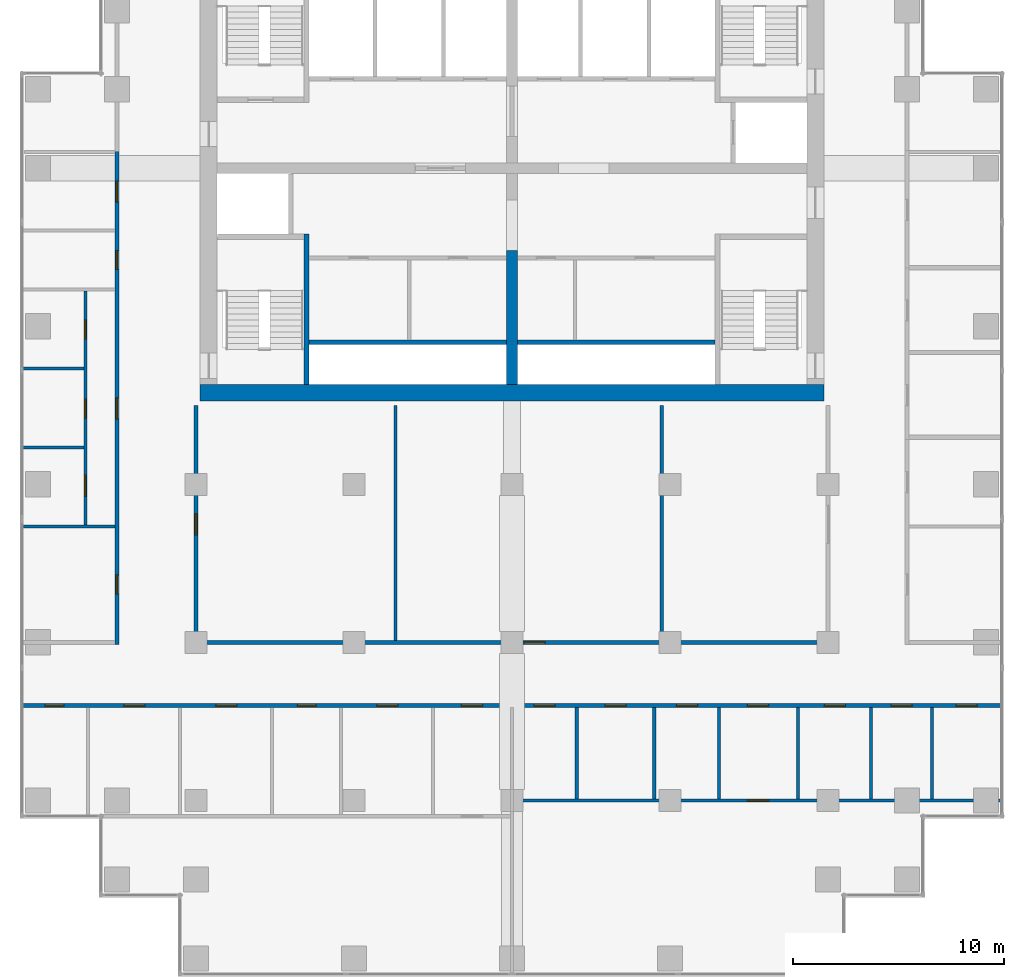
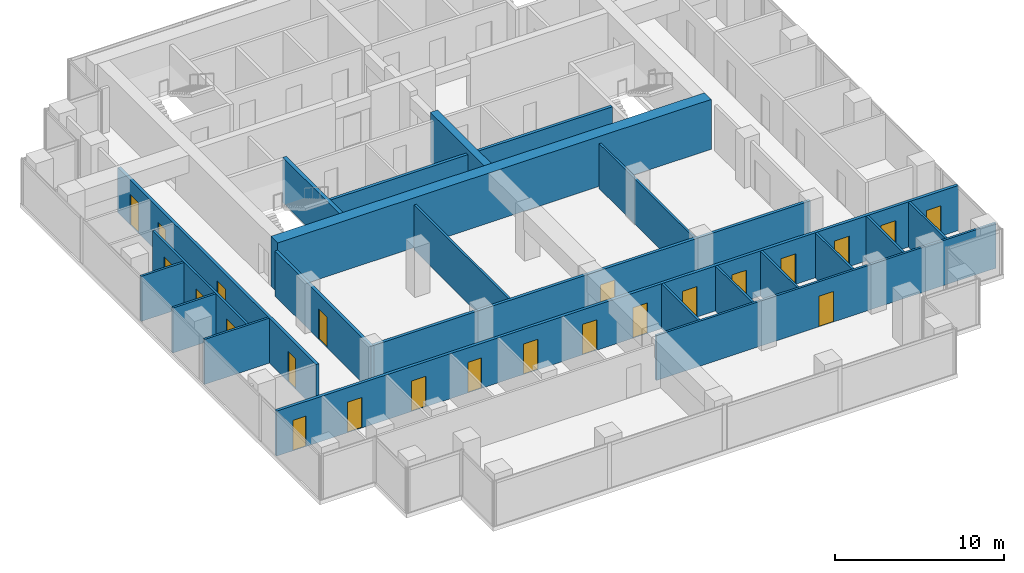
# One storey, part 7 of 10: 23 doors, 22 walls, 23 openings.
"""IFC4 building model written with IfcOpenShell, lengths in metres."""

from ifc_helpers import new_model, si_unit, direction, frame, frame_2d, origin, place, context, subcontext, project, spatial, rectangle, extrude, material, layer, layer_set, type_object, element, fill, save


model = new_model("IFC4")

# Units and contexts
model_context = context("Model", 3, precision=1e-05, world=origin(), true_north=direction((0.0, 1.0)))
body_context = subcontext(model_context, "Body", "Model", "MODEL_VIEW")
ifc_project = project(units=[si_unit("LENGTHUNIT", "METRE"), si_unit("AREAUNIT", "SQUARE_METRE"), si_unit("VOLUMEUNIT", "CUBIC_METRE"), si_unit("PLANEANGLEUNIT", "RADIAN"), si_unit("MASSUNIT", "GRAM", prefix="KILO")], contexts=[model_context])

# Site, building, storey
site_placement = place(None, origin())
site = spatial("IfcSite", under=ifc_project, at=site_placement, CompositionType="ELEMENT")
building_placement = place(site_placement, origin())
building = spatial("IfcBuilding", under=site, at=building_placement, Name="Pilkhan Gate Tower", CompositionType="ELEMENT")
storey_placement = place(building_placement, frame((0.0, 0.0, 180.10009765625)))
storey = spatial("IfcBuildingStorey", under=building, at=storey_placement, Name="L46", CompositionType="ELEMENT", Elevation=180.10009765625)

# Wall
ifc_material_1 = material(Name="Concrete C60/75", Category="concrete")
ifc_layer_1 = layer(ifc_material_1, 0.800048828125)
ifc_layer_set_1 = layer_set([ifc_layer_1], Name="Core wall CW800 C60/75")
wall_type_1 = type_object("IfcWallType", Name="Core wall CW800 C60/75", PredefinedType="SHEAR", material=ifc_layer_set_1)
wall_1_placement = place(storey_placement, frame((60.199951171875, 71.85009765625, 0.0), z_axis=(0.0, 0.0, 1.0), x_axis=(1.0, 0.0, 0.0)))
element("IfcWall", 1, at=wall_1_placement, inside=storey, type_object=wall_type_1, Name="Core wall S L46", PredefinedType="SHEAR", context=body_context, shape_type="SweptSolid", body=[
    extrude(rectangle(XDim=29.60009765625, YDim=0.800048828125, at=frame_2d((14.800048828125, 0.0))), origin(), (0.0, 0.0, 1.0), 3.599853515625),
])

# Wall, openings, doors
ifc_material_2 = material(Name="Dense blockwork", Category="masonry")
ifc_layer_2 = layer(ifc_material_2, 0.199951171875)
ifc_layer_set_2 = layer_set([ifc_layer_2], Name="Corridor wall FW200")
wall_type_2 = type_object("IfcWallType", Name="Corridor wall FW200", PredefinedType="PARTITIONING", material=ifc_layer_set_2)
wall_2_placement = place(storey_placement, frame((51.735107421875, 57.0, 0.0), z_axis=(0.0, 0.0, 1.0), x_axis=(1.0, 0.0, 0.0)))
wall_2 = element("IfcWall", 2, at=wall_2_placement, inside=storey, type_object=wall_type_2, Name="Partition L46", PredefinedType="PARTITIONING", context=body_context, shape_type="SweptSolid", body=[
    extrude(rectangle(XDim=46.52978515625, YDim=0.199951171875, at=frame_2d((23.264892578125, 0.0))), origin(), (0.0, 0.0, 1.0), 3.25),
])
opening_1_placement = place(wall_2_placement, frame((20.864990234375, 0.0, 0.0)))
opening_1 = element("IfcOpeningElement", 3, at=opening_1_placement, cuts=wall_2, Name="Opening L46-06", PredefinedType="OPENING", context=body_context, shape_type="SweptSolid", body=[
    extrude(rectangle(XDim=1.0, YDim=2.199951171875, at=frame_2d((0.5, 1.10009765625))), frame((0.0, 0.10986328125, 0.0), z_axis=(0.0, -1.0, 0.0), x_axis=(1.0, 0.0, 0.0)), (0.0, 0.0, 1.0), 0.219970703125),
])
opening_2_placement = place(wall_2_placement, frame((34.43994140625, 0.0, 0.0)))
opening_2 = element("IfcOpeningElement", 4, at=opening_2_placement, cuts=wall_2, Name="Opening L46-07", PredefinedType="OPENING", context=body_context, shape_type="SweptSolid", body=[
    extrude(rectangle(XDim=1.0, YDim=2.199951171875, at=frame_2d((0.5, 1.10009765625))), frame((0.0, 0.10986328125, 0.0), z_axis=(0.0, -1.0, 0.0), x_axis=(1.0, 0.0, 0.0)), (0.0, 0.0, 1.0), 0.219970703125),
])
opening_3_placement = place(wall_2_placement, frame((1.10009765625, 0.0, 0.0)))
opening_3 = element("IfcOpeningElement", 5, at=opening_3_placement, cuts=wall_2, Name="Opening L46-17", PredefinedType="OPENING", context=body_context, shape_type="SweptSolid", body=[
    extrude(rectangle(XDim=0.89990234375, YDim=2.199951171875, at=frame_2d((0.449951171875, 1.10009765625))), frame((0.0, 0.10986328125, 0.0), z_axis=(0.0, -1.0, 0.0), x_axis=(1.0, 0.0, 0.0)), (0.0, 0.0, 1.0), 0.219970703125),
])
opening_4_placement = place(wall_2_placement, frame((4.840087890625, 0.0, 0.0)))
opening_4 = element("IfcOpeningElement", 6, at=opening_4_placement, cuts=wall_2, Name="Opening L46-18", PredefinedType="OPENING", context=body_context, shape_type="SweptSolid", body=[
    extrude(rectangle(XDim=1.0, YDim=2.199951171875, at=frame_2d((0.5, 1.10009765625))), frame((0.0, 0.10986328125, 0.0), z_axis=(0.0, -1.0, 0.0), x_axis=(1.0, 0.0, 0.0)), (0.0, 0.0, 1.0), 0.219970703125),
])
opening_5_placement = place(wall_2_placement, frame((9.20703125, 0.0, 0.0)))
opening_5 = element("IfcOpeningElement", 7, at=opening_5_placement, cuts=wall_2, Name="Opening L46-19", PredefinedType="OPENING", context=body_context, shape_type="SweptSolid", body=[
    extrude(rectangle(XDim=1.0, YDim=2.199951171875, at=frame_2d((0.5, 1.10009765625))), frame((0.0, 0.10986328125, 0.0), z_axis=(0.0, -1.0, 0.0), x_axis=(1.0, 0.0, 0.0)), (0.0, 0.0, 1.0), 0.219970703125),
])
opening_6_placement = place(wall_2_placement, frame((13.072998046875, 0.0, 0.0)))
opening_6 = element("IfcOpeningElement", 8, at=opening_6_placement, cuts=wall_2, Name="Opening L46-20", PredefinedType="OPENING", context=body_context, shape_type="SweptSolid", body=[
    extrude(rectangle(XDim=0.89990234375, YDim=2.199951171875, at=frame_2d((0.449951171875, 1.10009765625))), frame((0.0, 0.10986328125, 0.0), z_axis=(0.0, -1.0, 0.0), x_axis=(1.0, 0.0, 0.0)), (0.0, 0.0, 1.0), 0.219970703125),
])
opening_7_placement = place(wall_2_placement, frame((16.847900390625, 0.0, 0.0)))
opening_7 = element("IfcOpeningElement", 9, at=opening_7_placement, cuts=wall_2, Name="Opening L46-21", PredefinedType="OPENING", context=body_context, shape_type="SweptSolid", body=[
    extrude(rectangle(XDim=1.0, YDim=2.199951171875, at=frame_2d((0.5, 1.10009765625))), frame((0.0, 0.10986328125, 0.0), z_axis=(0.0, -1.0, 0.0), x_axis=(1.0, 0.0, 0.0)), (0.0, 0.0, 1.0), 0.219970703125),
])
opening_8_placement = place(wall_2_placement, frame((24.31494140625, 0.0, 0.0)))
opening_8 = element("IfcOpeningElement", 10, at=opening_8_placement, cuts=wall_2, Name="Opening L46-23", PredefinedType="OPENING", context=body_context, shape_type="SweptSolid", body=[
    extrude(rectangle(XDim=1.0, YDim=2.199951171875, at=frame_2d((0.5, 1.10009765625))), frame((0.0, 0.10986328125, 0.0), z_axis=(0.0, -1.0, 0.0), x_axis=(1.0, 0.0, 0.0)), (0.0, 0.0, 1.0), 0.219970703125),
])
opening_9_placement = place(wall_2_placement, frame((27.68505859375, 0.0, 0.0)))
opening_9 = element("IfcOpeningElement", 11, at=opening_9_placement, cuts=wall_2, Name="Opening L46-24", PredefinedType="OPENING", context=body_context, shape_type="SweptSolid", body=[
    extrude(rectangle(XDim=1.0, YDim=2.199951171875, at=frame_2d((0.5, 1.10009765625))), frame((0.0, 0.10986328125, 0.0), z_axis=(0.0, -1.0, 0.0), x_axis=(1.0, 0.0, 0.0)), (0.0, 0.0, 1.0), 0.219970703125),
])
opening_10_placement = place(wall_2_placement, frame((31.070068359375, 0.0, 0.0)))
opening_10 = element("IfcOpeningElement", 12, at=opening_10_placement, cuts=wall_2, Name="Opening L46-25", PredefinedType="OPENING", context=body_context, shape_type="SweptSolid", body=[
    extrude(rectangle(XDim=1.0, YDim=2.199951171875, at=frame_2d((0.5, 1.10009765625))), frame((0.0, 0.10986328125, 0.0), z_axis=(0.0, -1.0, 0.0), x_axis=(1.0, 0.0, 0.0)), (0.0, 0.0, 1.0), 0.219970703125),
])
opening_11_placement = place(wall_2_placement, frame((38.090087890625, 0.0, 0.0)))
opening_11 = element("IfcOpeningElement", 13, at=opening_11_placement, cuts=wall_2, Name="Opening L46-26", PredefinedType="OPENING", context=body_context, shape_type="SweptSolid", body=[
    extrude(rectangle(XDim=1.0, YDim=2.199951171875, at=frame_2d((0.5, 1.10009765625))), frame((0.0, 0.10986328125, 0.0), z_axis=(0.0, -1.0, 0.0), x_axis=(1.0, 0.0, 0.0)), (0.0, 0.0, 1.0), 0.219970703125),
])
opening_12_placement = place(wall_2_placement, frame((41.258056640625, 0.0, 0.0)))
opening_12 = element("IfcOpeningElement", 14, at=opening_12_placement, cuts=wall_2, Name="Opening L46-27", PredefinedType="OPENING", context=body_context, shape_type="SweptSolid", body=[
    extrude(rectangle(XDim=1.0, YDim=2.199951171875, at=frame_2d((0.5, 1.10009765625))), frame((0.0, 0.10986328125, 0.0), z_axis=(0.0, -1.0, 0.0), x_axis=(1.0, 0.0, 0.0)), (0.0, 0.0, 1.0), 0.219970703125),
])
opening_13_placement = place(wall_2_placement, frame((44.346923828125, 0.0, 0.0)))
opening_13 = element("IfcOpeningElement", 15, at=opening_13_placement, cuts=wall_2, Name="Opening L46-28", PredefinedType="OPENING", context=body_context, shape_type="SweptSolid", body=[
    extrude(rectangle(XDim=1.0, YDim=2.199951171875, at=frame_2d((0.5, 1.10009765625))), frame((0.0, 0.10986328125, 0.0), z_axis=(0.0, -1.0, 0.0), x_axis=(1.0, 0.0, 0.0)), (0.0, 0.0, 1.0), 0.219970703125),
])
ifc_material_3 = material(Name="Timber flush door, 30 minute fire resisting", Category="wood")
door_type_1 = type_object("IfcDoorType", Name="Room door D03 1000x2200", OperationType="SINGLE_SWING_LEFT", PredefinedType="DOOR", material=ifc_material_3)
door_1_placement = place(opening_1_placement, origin())
door_1 = element("IfcDoor", 16, at=door_1_placement, inside=storey, type_object=door_type_1, Name="Room door", OperationType="SINGLE_SWING_LEFT", OverallHeight=2.199951171875, OverallWidth=1.0, PredefinedType="DOOR", context=body_context, shape_type="SweptSolid", body=[
    extrude(rectangle(XDim=1.0, YDim=2.199951171875, at=frame_2d((0.5, 1.10009765625))), frame((0.0, 0.02490234375, 0.0), z_axis=(0.0, -1.0, 0.0), x_axis=(1.0, 0.0, 0.0)), (0.0, 0.0, 1.0), 0.050048828125),
])
fill(opening_1, door_1)
door_2_placement = place(opening_2_placement, origin())
door_2 = element("IfcDoor", 17, at=door_2_placement, inside=storey, type_object=door_type_1, Name="Room door", OperationType="SINGLE_SWING_LEFT", OverallHeight=2.199951171875, OverallWidth=1.0, PredefinedType="DOOR", context=body_context, shape_type="SweptSolid", body=[
    extrude(rectangle(XDim=1.0, YDim=2.199951171875, at=frame_2d((0.5, 1.10009765625))), frame((0.0, 0.02490234375, 0.0), z_axis=(0.0, -1.0, 0.0), x_axis=(1.0, 0.0, 0.0)), (0.0, 0.0, 1.0), 0.050048828125),
])
fill(opening_2, door_2)
door_3_placement = place(opening_4_placement, origin())
door_3 = element("IfcDoor", 18, at=door_3_placement, inside=storey, type_object=door_type_1, Name="Room door", OperationType="SINGLE_SWING_LEFT", OverallHeight=2.199951171875, OverallWidth=1.0, PredefinedType="DOOR", context=body_context, shape_type="SweptSolid", body=[
    extrude(rectangle(XDim=1.0, YDim=2.199951171875, at=frame_2d((0.5, 1.10009765625))), frame((0.0, 0.02490234375, 0.0), z_axis=(0.0, -1.0, 0.0), x_axis=(1.0, 0.0, 0.0)), (0.0, 0.0, 1.0), 0.050048828125),
])
fill(opening_4, door_3)
door_4_placement = place(opening_5_placement, origin())
door_4 = element("IfcDoor", 19, at=door_4_placement, inside=storey, type_object=door_type_1, Name="Room door", OperationType="SINGLE_SWING_RIGHT", OverallHeight=2.199951171875, OverallWidth=1.0, PredefinedType="DOOR", context=body_context, shape_type="SweptSolid", body=[
    extrude(rectangle(XDim=1.0, YDim=2.199951171875, at=frame_2d((0.5, 1.10009765625))), frame((0.0, 0.02490234375, 0.0), z_axis=(0.0, -1.0, 0.0), x_axis=(1.0, 0.0, 0.0)), (0.0, 0.0, 1.0), 0.050048828125),
])
fill(opening_5, door_4)
door_5_placement = place(opening_7_placement, origin())
door_5 = element("IfcDoor", 20, at=door_5_placement, inside=storey, type_object=door_type_1, Name="Room door", OperationType="SINGLE_SWING_LEFT", OverallHeight=2.199951171875, OverallWidth=1.0, PredefinedType="DOOR", context=body_context, shape_type="SweptSolid", body=[
    extrude(rectangle(XDim=1.0, YDim=2.199951171875, at=frame_2d((0.5, 1.10009765625))), frame((0.0, 0.02490234375, 0.0), z_axis=(0.0, -1.0, 0.0), x_axis=(1.0, 0.0, 0.0)), (0.0, 0.0, 1.0), 0.050048828125),
])
fill(opening_7, door_5)
door_6_placement = place(opening_8_placement, origin())
door_6 = element("IfcDoor", 21, at=door_6_placement, inside=storey, type_object=door_type_1, Name="Room door", OperationType="SINGLE_SWING_LEFT", OverallHeight=2.199951171875, OverallWidth=1.0, PredefinedType="DOOR", context=body_context, shape_type="SweptSolid", body=[
    extrude(rectangle(XDim=1.0, YDim=2.199951171875, at=frame_2d((0.5, 1.10009765625))), frame((0.0, 0.02490234375, 0.0), z_axis=(0.0, -1.0, 0.0), x_axis=(1.0, 0.0, 0.0)), (0.0, 0.0, 1.0), 0.050048828125),
])
fill(opening_8, door_6)
door_7_placement = place(opening_9_placement, origin())
door_7 = element("IfcDoor", 22, at=door_7_placement, inside=storey, type_object=door_type_1, Name="Room door", OperationType="SINGLE_SWING_LEFT", OverallHeight=2.199951171875, OverallWidth=1.0, PredefinedType="DOOR", context=body_context, shape_type="SweptSolid", body=[
    extrude(rectangle(XDim=1.0, YDim=2.199951171875, at=frame_2d((0.5, 1.10009765625))), frame((0.0, 0.02490234375, 0.0), z_axis=(0.0, -1.0, 0.0), x_axis=(1.0, 0.0, 0.0)), (0.0, 0.0, 1.0), 0.050048828125),
])
fill(opening_9, door_7)
door_8_placement = place(opening_10_placement, origin())
door_8 = element("IfcDoor", 23, at=door_8_placement, inside=storey, type_object=door_type_1, Name="Room door", OperationType="SINGLE_SWING_LEFT", OverallHeight=2.199951171875, OverallWidth=1.0, PredefinedType="DOOR", context=body_context, shape_type="SweptSolid", body=[
    extrude(rectangle(XDim=1.0, YDim=2.199951171875, at=frame_2d((0.5, 1.10009765625))), frame((0.0, 0.02490234375, 0.0), z_axis=(0.0, -1.0, 0.0), x_axis=(1.0, 0.0, 0.0)), (0.0, 0.0, 1.0), 0.050048828125),
])
fill(opening_10, door_8)
door_9_placement = place(opening_11_placement, origin())
door_9 = element("IfcDoor", 24, at=door_9_placement, inside=storey, type_object=door_type_1, Name="Room door", OperationType="SINGLE_SWING_RIGHT", OverallHeight=2.199951171875, OverallWidth=1.0, PredefinedType="DOOR", context=body_context, shape_type="SweptSolid", body=[
    extrude(rectangle(XDim=1.0, YDim=2.199951171875, at=frame_2d((0.5, 1.10009765625))), frame((0.0, 0.02490234375, 0.0), z_axis=(0.0, -1.0, 0.0), x_axis=(1.0, 0.0, 0.0)), (0.0, 0.0, 1.0), 0.050048828125),
])
fill(opening_11, door_9)
door_10_placement = place(opening_12_placement, origin())
door_10 = element("IfcDoor", 25, at=door_10_placement, inside=storey, type_object=door_type_1, Name="Room door", OperationType="SINGLE_SWING_LEFT", OverallHeight=2.199951171875, OverallWidth=1.0, PredefinedType="DOOR", context=body_context, shape_type="SweptSolid", body=[
    extrude(rectangle(XDim=1.0, YDim=2.199951171875, at=frame_2d((0.5, 1.10009765625))), frame((0.0, 0.02490234375, 0.0), z_axis=(0.0, -1.0, 0.0), x_axis=(1.0, 0.0, 0.0)), (0.0, 0.0, 1.0), 0.050048828125),
])
fill(opening_12, door_10)
door_11_placement = place(opening_13_placement, origin())
door_11 = element("IfcDoor", 26, at=door_11_placement, inside=storey, type_object=door_type_1, Name="Room door", OperationType="SINGLE_SWING_LEFT", OverallHeight=2.199951171875, OverallWidth=1.0, PredefinedType="DOOR", context=body_context, shape_type="SweptSolid", body=[
    extrude(rectangle(XDim=1.0, YDim=2.199951171875, at=frame_2d((0.5, 1.10009765625))), frame((0.0, 0.02490234375, 0.0), z_axis=(0.0, -1.0, 0.0), x_axis=(1.0, 0.0, 0.0)), (0.0, 0.0, 1.0), 0.050048828125),
])
fill(opening_13, door_11)
ifc_material_4 = material(Name="Timber flush door, 60 minute fire resisting, self-closing", Category="wood")
door_type_2 = type_object("IfcDoorType", Name="Store door D05 900x2200", OperationType="SINGLE_SWING_LEFT", PredefinedType="DOOR", material=ifc_material_4)
door_12_placement = place(opening_3_placement, origin())
door_12 = element("IfcDoor", 27, at=door_12_placement, inside=storey, type_object=door_type_2, Name="Store door", OperationType="SINGLE_SWING_LEFT", OverallHeight=2.199951171875, OverallWidth=0.89990234375, PredefinedType="DOOR", context=body_context, shape_type="SweptSolid", body=[
    extrude(rectangle(XDim=0.89990234375, YDim=2.199951171875, at=frame_2d((0.449951171875, 1.10009765625))), frame((0.0, 0.02490234375, 0.0), z_axis=(0.0, -1.0, 0.0), x_axis=(1.0, 0.0, 0.0)), (0.0, 0.0, 1.0), 0.050048828125),
])
fill(opening_3, door_12)
door_13_placement = place(opening_6_placement, origin())
door_13 = element("IfcDoor", 28, at=door_13_placement, inside=storey, type_object=door_type_2, Name="Store door", OperationType="SINGLE_SWING_LEFT", OverallHeight=2.199951171875, OverallWidth=0.89990234375, PredefinedType="DOOR", context=body_context, shape_type="SweptSolid", body=[
    extrude(rectangle(XDim=0.89990234375, YDim=2.199951171875, at=frame_2d((0.449951171875, 1.10009765625))), frame((0.0, 0.02490234375, 0.0), z_axis=(0.0, -1.0, 0.0), x_axis=(1.0, 0.0, 0.0)), (0.0, 0.0, 1.0), 0.050048828125),
])
fill(opening_6, door_13)

# Wall, opening, door
wall_3_placement = place(storey_placement, frame((60.10009765625, 60.0, 0.0), z_axis=(0.0, 0.0, 1.0), x_axis=(1.0, 0.0, 0.0)))
wall_3 = element("IfcWall", 29, at=wall_3_placement, inside=storey, type_object=wall_type_2, Name="Partition L46", PredefinedType="PARTITIONING", context=body_context, shape_type="SweptSolid", body=[
    extrude(rectangle(XDim=29.7998046875, YDim=0.199951171875, at=frame_2d((14.89990234375, 0.0))), origin(), (0.0, 0.0, 1.0), 3.25),
])
opening_14_placement = place(wall_3_placement, frame((15.47412109375, 0.0, 0.0)))
opening_14 = element("IfcOpeningElement", 30, at=opening_14_placement, cuts=wall_3, Name="Opening L46-40", PredefinedType="OPENING", context=body_context, shape_type="SweptSolid", body=[
    extrude(rectangle(XDim=1.0, YDim=2.199951171875, at=frame_2d((0.5, 1.10009765625))), frame((0.0, 0.10986328125, 0.0), z_axis=(0.0, -1.0, 0.0), x_axis=(1.0, 0.0, 0.0)), (0.0, 0.0, 1.0), 0.219970703125),
])
door_14_placement = place(opening_14_placement, origin())
door_14 = element("IfcDoor", 31, at=door_14_placement, inside=storey, type_object=door_type_1, Name="Room door", OperationType="SINGLE_SWING_RIGHT", OverallHeight=2.199951171875, OverallWidth=1.0, PredefinedType="DOOR", context=body_context, shape_type="SweptSolid", body=[
    extrude(rectangle(XDim=1.0, YDim=2.199951171875, at=frame_2d((0.5, 1.10009765625))), frame((0.0, 0.02490234375, 0.0), z_axis=(0.0, -1.0, 0.0), x_axis=(1.0, 0.0, 0.0)), (0.0, 0.0, 1.0), 0.050048828125),
])
fill(opening_14, door_14)

# Wall, openings, doors
wall_4_placement = place(storey_placement, frame((56.25, 59.89990234375, 0.0), z_axis=(0.0, 0.0, 1.0), x_axis=(0.0, 1.0, 0.0)))
wall_4 = element("IfcWall", 32, at=wall_4_placement, inside=storey, type_object=wall_type_2, Name="Partition L46", PredefinedType="PARTITIONING", context=body_context, shape_type="SweptSolid", body=[
    extrude(rectangle(XDim=23.455078125, YDim=0.199951171875, at=frame_2d((11.7275390625, 0.0))), origin(), (0.0, 0.0, 1.0), 3.25),
])
opening_15_placement = place(wall_4_placement, frame((10.699951171875, 0.0, 0.0)))
opening_15 = element("IfcOpeningElement", 33, at=opening_15_placement, cuts=wall_4, Name="Opening L46-08", PredefinedType="OPENING", context=body_context, shape_type="SweptSolid", body=[
    extrude(rectangle(XDim=1.0, YDim=2.199951171875, at=frame_2d((0.5, 1.10009765625))), frame((0.0, 0.10986328125, 0.0), z_axis=(0.0, -1.0, 0.0), x_axis=(1.0, 0.0, 0.0)), (0.0, 0.0, 1.0), 0.219970703125),
])
opening_16_placement = place(wall_4_placement, frame((2.39990234375, 0.0, 0.0)))
opening_16 = element("IfcOpeningElement", 34, at=opening_16_placement, cuts=wall_4, Name="Opening L46-33", PredefinedType="OPENING", context=body_context, shape_type="SweptSolid", body=[
    extrude(rectangle(XDim=0.89990234375, YDim=2.199951171875, at=frame_2d((0.449951171875, 1.10009765625))), frame((0.0, 0.10986328125, 0.0), z_axis=(0.0, -1.0, 0.0), x_axis=(1.0, 0.0, 0.0)), (0.0, 0.0, 1.0), 0.219970703125),
])
opening_17_placement = place(wall_4_placement, frame((17.800048828125, 0.0, 0.0)))
opening_17 = element("IfcOpeningElement", 35, at=opening_17_placement, cuts=wall_4, Name="Opening L46-34", PredefinedType="OPENING", context=body_context, shape_type="SweptSolid", body=[
    extrude(rectangle(XDim=0.89990234375, YDim=2.199951171875, at=frame_2d((0.449951171875, 1.10009765625))), frame((0.0, 0.10986328125, 0.0), z_axis=(0.0, -1.0, 0.0), x_axis=(1.0, 0.0, 0.0)), (0.0, 0.0, 1.0), 0.219970703125),
])
opening_18_placement = place(wall_4_placement, frame((20.9990234375, 0.0, 0.0)))
opening_18 = element("IfcOpeningElement", 36, at=opening_18_placement, cuts=wall_4, Name="Opening L46-35", PredefinedType="OPENING", context=body_context, shape_type="SweptSolid", body=[
    extrude(rectangle(XDim=1.0, YDim=2.199951171875, at=frame_2d((0.5, 1.10009765625))), frame((0.0, 0.10986328125, 0.0), z_axis=(0.0, -1.0, 0.0), x_axis=(1.0, 0.0, 0.0)), (0.0, 0.0, 1.0), 0.219970703125),
])
door_15_placement = place(opening_15_placement, origin())
door_15 = element("IfcDoor", 37, at=door_15_placement, inside=storey, type_object=door_type_1, Name="Toilet lobby door", OperationType="SINGLE_SWING_RIGHT", OverallHeight=2.199951171875, OverallWidth=1.0, PredefinedType="DOOR", context=body_context, shape_type="SweptSolid", body=[
    extrude(rectangle(XDim=1.0, YDim=2.199951171875, at=frame_2d((0.5, 1.10009765625))), frame((0.0, 0.02490234375, 0.0), z_axis=(0.0, -1.0, 0.0), x_axis=(1.0, 0.0, 0.0)), (0.0, 0.0, 1.0), 0.050048828125),
])
fill(opening_15, door_15)
door_16_placement = place(opening_18_placement, origin())
door_16 = element("IfcDoor", 38, at=door_16_placement, inside=storey, type_object=door_type_1, Name="Room door", OperationType="SINGLE_SWING_RIGHT", OverallHeight=2.199951171875, OverallWidth=1.0, PredefinedType="DOOR", context=body_context, shape_type="SweptSolid", body=[
    extrude(rectangle(XDim=1.0, YDim=2.199951171875, at=frame_2d((0.5, 1.10009765625))), frame((0.0, 0.02490234375, 0.0), z_axis=(0.0, -1.0, 0.0), x_axis=(1.0, 0.0, 0.0)), (0.0, 0.0, 1.0), 0.050048828125),
])
fill(opening_18, door_16)
door_17_placement = place(opening_16_placement, origin())
door_17 = element("IfcDoor", 39, at=door_17_placement, inside=storey, type_object=door_type_2, Name="Store door", OperationType="SINGLE_SWING_LEFT", OverallHeight=2.199951171875, OverallWidth=0.89990234375, PredefinedType="DOOR", context=body_context, shape_type="SweptSolid", body=[
    extrude(rectangle(XDim=0.89990234375, YDim=2.199951171875, at=frame_2d((0.449951171875, 1.10009765625))), frame((0.0, 0.02490234375, 0.0), z_axis=(0.0, -1.0, 0.0), x_axis=(1.0, 0.0, 0.0)), (0.0, 0.0, 1.0), 0.050048828125),
])
fill(opening_16, door_17)
door_18_placement = place(opening_17_placement, origin())
door_18 = element("IfcDoor", 40, at=door_18_placement, inside=storey, type_object=door_type_2, Name="Store door", OperationType="SINGLE_SWING_RIGHT", OverallHeight=2.199951171875, OverallWidth=0.89990234375, PredefinedType="DOOR", context=body_context, shape_type="SweptSolid", body=[
    extrude(rectangle(XDim=0.89990234375, YDim=2.199951171875, at=frame_2d((0.449951171875, 1.10009765625))), frame((0.0, 0.02490234375, 0.0), z_axis=(0.0, -1.0, 0.0), x_axis=(1.0, 0.0, 0.0)), (0.0, 0.0, 1.0), 0.050048828125),
])
fill(opening_17, door_18)

# Wall, opening, door
wall_5_placement = place(storey_placement, frame((60.0, 59.89990234375, 0.0), z_axis=(0.0, 0.0, 1.0), x_axis=(0.0, 1.0, 0.0)))
wall_5 = element("IfcWall", 41, at=wall_5_placement, inside=storey, type_object=wall_type_2, Name="Partition L46", PredefinedType="PARTITIONING", context=body_context, shape_type="SweptSolid", body=[
    extrude(rectangle(XDim=11.35009765625, YDim=0.199951171875, at=frame_2d((5.675048828125, 0.0))), origin(), (0.0, 0.0, 1.0), 3.25),
])
opening_19_placement = place(wall_5_placement, frame((5.199951171875, 0.0, 0.0)))
opening_19 = element("IfcOpeningElement", 42, at=opening_19_placement, cuts=wall_5, Name="Opening L46-39", PredefinedType="OPENING", context=body_context, shape_type="SweptSolid", body=[
    extrude(rectangle(XDim=1.0, YDim=2.199951171875, at=frame_2d((0.5, 1.10009765625))), frame((0.0, 0.10986328125, 0.0), z_axis=(0.0, -1.0, 0.0), x_axis=(1.0, 0.0, 0.0)), (0.0, 0.0, 1.0), 0.219970703125),
])
door_19_placement = place(opening_19_placement, origin())
door_19 = element("IfcDoor", 43, at=door_19_placement, inside=storey, type_object=door_type_1, Name="Room door", OperationType="SINGLE_SWING_LEFT", OverallHeight=2.199951171875, OverallWidth=1.0, PredefinedType="DOOR", context=body_context, shape_type="SweptSolid", body=[
    extrude(rectangle(XDim=1.0, YDim=2.199951171875, at=frame_2d((0.5, 1.10009765625))), frame((0.0, 0.02490234375, 0.0), z_axis=(0.0, -1.0, 0.0), x_axis=(1.0, 0.0, 0.0)), (0.0, 0.0, 1.0), 0.050048828125),
])
fill(opening_19, door_19)

# Walls
ifc_layer_3 = layer(ifc_material_2, 0.199951171875)
ifc_layer_set_3 = layer_set([ifc_layer_3], Name="Lobby wall LW200")
wall_type_3 = type_object("IfcWallType", Name="Lobby wall LW200", PredefinedType="PARTITIONING", material=ifc_layer_set_3)
for number, where, z_axis, x_axis, name in (
    (44, (65.375, 74.25, 0.0), (0.0, 0.0, 1.0), (1.0, 0.0, 0.0), "Partition L46"),
    (45, (75.260009765625, 74.25, 0.0), (0.0, 0.0, 1.0), (1.0, 0.0, 0.0), "Partition L46"),
):
    element("IfcWall", number, at=place(storey_placement, frame(where, z_axis=z_axis, x_axis=x_axis)), inside=storey, type_object=wall_type_3, Name=name, PredefinedType="PARTITIONING", context=body_context, shape_type="SweptSolid", body=[
        extrude(rectangle(XDim=9.364990234375, YDim=0.199951171875, at=frame_2d((4.6826171875, 0.0))), origin(), (0.0, 0.0, 1.0), 3.25),
    ])

# Wall, opening, door
ifc_material_5 = material(Name="Blockwork partition, plastered both sides", Category="masonry")
ifc_layer_4 = layer(ifc_material_5, 0.14990234375)
ifc_layer_set_4 = layer_set([ifc_layer_4], Name="Partition PW150")
wall_type_4 = type_object("IfcWallType", Name="Partition PW150", PredefinedType="PARTITIONING", material=ifc_layer_set_4)
wall_6_placement = place(storey_placement, frame((75.074951171875, 52.5, 0.0), z_axis=(0.0, 0.0, 1.0), x_axis=(1.0, 0.0, 0.0)))
wall_6 = element("IfcWall", 46, at=wall_6_placement, inside=storey, type_object=wall_type_4, Name="Partition L46", PredefinedType="PARTITIONING", context=body_context, shape_type="SweptSolid", body=[
    extrude(rectangle(XDim=23.18994140625, YDim=0.14990234375, at=frame_2d((11.594970703125, 0.0))), origin(), (0.0, 0.0, 1.0), 3.25),
])
opening_20_placement = place(wall_6_placement, frame((11.10009765625, 0.0, 0.0)))
opening_20 = element("IfcOpeningElement", 47, at=opening_20_placement, cuts=wall_6, Name="Opening L46-29", PredefinedType="OPENING", context=body_context, shape_type="SweptSolid", body=[
    extrude(rectangle(XDim=1.0, YDim=2.199951171875, at=frame_2d((0.5, 1.10009765625))), frame((0.0, 0.0849609375, 0.0), z_axis=(0.0, -1.0, 0.0), x_axis=(1.0, 0.0, 0.0)), (0.0, 0.0, 1.0), 0.169921875),
])
door_20_placement = place(opening_20_placement, origin())
door_20 = element("IfcDoor", 48, at=door_20_placement, inside=storey, type_object=door_type_1, Name="Room door", OperationType="SINGLE_SWING_LEFT", OverallHeight=2.199951171875, OverallWidth=1.0, PredefinedType="DOOR", context=body_context, shape_type="SweptSolid", body=[
    extrude(rectangle(XDim=1.0, YDim=2.199951171875, at=frame_2d((0.5, 1.10009765625))), frame((0.0, 0.02490234375, 0.0), z_axis=(0.0, -1.0, 0.0), x_axis=(1.0, 0.0, 0.0)), (0.0, 0.0, 1.0), 0.050048828125),
])
fill(opening_20, door_20)

# Walls
wall_7_placement = place(storey_placement, frame((51.735107421875, 65.5, 0.0), z_axis=(0.0, 0.0, 1.0), x_axis=(1.0, 0.0, 0.0)))
element("IfcWall", 49, at=wall_7_placement, inside=storey, type_object=wall_type_4, Name="Partition L46", PredefinedType="PARTITIONING", context=body_context, shape_type="SweptSolid", body=[
    extrude(rectangle(XDim=4.414794921875, YDim=0.14990234375, at=frame_2d((2.20751953125, 0.0))), origin(), (0.0, 0.0, 1.0), 3.25),
])
for number, where, z_axis, x_axis, name in (
    (50, (51.735107421875, 69.25, 0.0), (0.0, 0.0, 1.0), (1.0, 0.0, 0.0), "Partition L46"),
    (51, (51.735107421875, 73.0, 0.0), (0.0, 0.0, 1.0), (1.0, 0.0, 0.0), "Partition L46"),
):
    element("IfcWall", number, at=place(storey_placement, frame(where, z_axis=z_axis, x_axis=x_axis)), inside=storey, type_object=wall_type_4, Name=name, PredefinedType="PARTITIONING", context=body_context, shape_type="SweptSolid", body=[
        extrude(rectangle(XDim=2.93994140625, YDim=0.14990234375, at=frame_2d((1.469970703125, 0.0))), origin(), (0.0, 0.0, 1.0), 3.25),
    ])

# Wall, openings, doors
wall_8_placement = place(storey_placement, frame((54.75, 65.574951171875, 0.0), z_axis=(0.0, 0.0, 1.0), x_axis=(0.0, 1.0, 0.0)))
wall_8 = element("IfcWall", 52, at=wall_8_placement, inside=storey, type_object=wall_type_4, Name="Partition L46", PredefinedType="PARTITIONING", context=body_context, shape_type="SweptSolid", body=[
    extrude(rectangle(XDim=11.10009765625, YDim=0.14990234375, at=frame_2d((5.550048828125, 0.0))), origin(), (0.0, 0.0, 1.0), 3.25),
])
opening_21_placement = place(wall_8_placement, frame((1.35009765625, 0.0, 0.0)))
opening_21 = element("IfcOpeningElement", 53, at=opening_21_placement, cuts=wall_8, Name="Opening L46-30", PredefinedType="OPENING", context=body_context, shape_type="SweptSolid", body=[
    extrude(rectangle(XDim=1.0, YDim=2.199951171875, at=frame_2d((0.5, 1.10009765625))), frame((0.0, 0.0849609375, 0.0), z_axis=(0.0, -1.0, 0.0), x_axis=(1.0, 0.0, 0.0)), (0.0, 0.0, 1.0), 0.169921875),
])
opening_22_placement = place(wall_8_placement, frame((5.074951171875, 0.0, 0.0)))
opening_22 = element("IfcOpeningElement", 54, at=opening_22_placement, cuts=wall_8, Name="Opening L46-31", PredefinedType="OPENING", context=body_context, shape_type="SweptSolid", body=[
    extrude(rectangle(XDim=0.89990234375, YDim=2.199951171875, at=frame_2d((0.449951171875, 1.10009765625))), frame((0.0, 0.0849609375, 0.0), z_axis=(0.0, -1.0, 0.0), x_axis=(1.0, 0.0, 0.0)), (0.0, 0.0, 1.0), 0.169921875),
])
opening_23_placement = place(wall_8_placement, frame((8.824951171875, 0.0, 0.0)))
opening_23 = element("IfcOpeningElement", 55, at=opening_23_placement, cuts=wall_8, Name="Opening L46-32", PredefinedType="OPENING", context=body_context, shape_type="SweptSolid", body=[
    extrude(rectangle(XDim=0.89990234375, YDim=2.199951171875, at=frame_2d((0.449951171875, 1.10009765625))), frame((0.0, 0.0849609375, 0.0), z_axis=(0.0, -1.0, 0.0), x_axis=(1.0, 0.0, 0.0)), (0.0, 0.0, 1.0), 0.169921875),
])
ifc_material_6 = material(Name="Timber flush door, outward opening, 30 minute fire resisting", Category="wood")
door_type_3 = type_object("IfcDoorType", Name="Accessible toilet door D07 1000x2200", OperationType="SINGLE_SWING_LEFT", PredefinedType="DOOR", material=ifc_material_6)
door_21_placement = place(opening_21_placement, origin())
door_21 = element("IfcDoor", 56, at=door_21_placement, inside=storey, type_object=door_type_3, Name="Accessible toilet door", OperationType="SINGLE_SWING_LEFT", OverallHeight=2.199951171875, OverallWidth=1.0, PredefinedType="DOOR", context=body_context, shape_type="SweptSolid", body=[
    extrude(rectangle(XDim=1.0, YDim=2.199951171875, at=frame_2d((0.5, 1.10009765625))), frame((0.0, 0.02490234375, 0.0), z_axis=(0.0, -1.0, 0.0), x_axis=(1.0, 0.0, 0.0)), (0.0, 0.0, 1.0), 0.050048828125),
])
fill(opening_21, door_21)
door_type_4 = type_object("IfcDoorType", Name="Toilet door D06 900x2200", OperationType="SINGLE_SWING_LEFT", PredefinedType="DOOR", material=ifc_material_3)
door_22_placement = place(opening_22_placement, origin())
door_22 = element("IfcDoor", 57, at=door_22_placement, inside=storey, type_object=door_type_4, Name="Toilet door", OperationType="SINGLE_SWING_RIGHT", OverallHeight=2.199951171875, OverallWidth=0.89990234375, PredefinedType="DOOR", context=body_context, shape_type="SweptSolid", body=[
    extrude(rectangle(XDim=0.89990234375, YDim=2.199951171875, at=frame_2d((0.449951171875, 1.10009765625))), frame((0.0, 0.02490234375, 0.0), z_axis=(0.0, -1.0, 0.0), x_axis=(1.0, 0.0, 0.0)), (0.0, 0.0, 1.0), 0.050048828125),
])
fill(opening_22, door_22)
door_23_placement = place(opening_23_placement, origin())
door_23 = element("IfcDoor", 58, at=door_23_placement, inside=storey, type_object=door_type_4, Name="Toilet door", OperationType="SINGLE_SWING_LEFT", OverallHeight=2.199951171875, OverallWidth=0.89990234375, PredefinedType="DOOR", context=body_context, shape_type="SweptSolid", body=[
    extrude(rectangle(XDim=0.89990234375, YDim=2.199951171875, at=frame_2d((0.449951171875, 1.10009765625))), frame((0.0, 0.02490234375, 0.0), z_axis=(0.0, -1.0, 0.0), x_axis=(1.0, 0.0, 0.0)), (0.0, 0.0, 1.0), 0.050048828125),
])
fill(opening_23, door_23)

# Walls
wall_9_placement = place(storey_placement, frame((69.47412109375, 60.10009765625, 0.0), z_axis=(0.0, 0.0, 1.0), x_axis=(0.0, 1.0, 0.0)))
element("IfcWall", 59, at=wall_9_placement, inside=storey, type_object=wall_type_4, Name="Partition L46", PredefinedType="PARTITIONING", context=body_context, shape_type="SweptSolid", body=[
    extrude(rectangle(XDim=11.14990234375, YDim=0.14990234375, at=frame_2d((5.574951171875, 0.0))), origin(), (0.0, 0.0, 1.0), 3.25),
])
for number, where, z_axis, x_axis, name in (
    (60, (78.070068359375, 52.574951171875, 0.0), (0.0, 0.0, 1.0), (0.0, 1.0, 0.0), "Partition L46"),
    (61, (81.7548828125, 52.574951171875, 0.0), (0.0, 0.0, 1.0), (0.0, 1.0, 0.0), "Partition L46"),
):
    element("IfcWall", number, at=place(storey_placement, frame(where, z_axis=z_axis, x_axis=x_axis)), inside=storey, type_object=wall_type_4, Name=name, PredefinedType="PARTITIONING", context=body_context, shape_type="SweptSolid", body=[
        extrude(rectangle(XDim=4.324951171875, YDim=0.14990234375, at=frame_2d((2.16259765625, 0.0))), origin(), (0.0, 0.0, 1.0), 3.25),
    ])
wall_10_placement = place(storey_placement, frame((82.10498046875, 60.10009765625, 0.0), z_axis=(0.0, 0.0, 1.0), x_axis=(0.0, 1.0, 0.0)))
element("IfcWall", 62, at=wall_10_placement, inside=storey, type_object=wall_type_4, Name="Partition L46", PredefinedType="PARTITIONING", context=body_context, shape_type="SweptSolid", body=[
    extrude(rectangle(XDim=11.14990234375, YDim=0.14990234375, at=frame_2d((5.574951171875, 0.0))), origin(), (0.0, 0.0, 1.0), 3.25),
])
for number, where, z_axis, x_axis, name in (
    (63, (84.824951171875, 52.574951171875, 0.0), (0.0, 0.0, 1.0), (0.0, 1.0, 0.0), "Partition L46"),
    (64, (88.574951171875, 52.574951171875, 0.0), (0.0, 0.0, 1.0), (0.0, 1.0, 0.0), "Partition L46"),
    (65, (92.04296875, 52.574951171875, 0.0), (0.0, 0.0, 1.0), (0.0, 1.0, 0.0), "Partition L46"),
    (66, (94.931884765625, 52.574951171875, 0.0), (0.0, 0.0, 1.0), (0.0, 1.0, 0.0), "Partition L46"),
):
    element("IfcWall", number, at=place(storey_placement, frame(where, z_axis=z_axis, x_axis=x_axis)), inside=storey, type_object=wall_type_4, Name=name, PredefinedType="PARTITIONING", context=body_context, shape_type="SweptSolid", body=[
        extrude(rectangle(XDim=4.324951171875, YDim=0.14990234375, at=frame_2d((2.16259765625, 0.0))), origin(), (0.0, 0.0, 1.0), 3.25),
    ])
ifc_layer_5 = layer(ifc_material_1, 0.5)
ifc_layer_set_5 = layer_set([ifc_layer_5], Name="Spine wall SW500 C60/75")
wall_type_5 = type_object("IfcWallType", Name="Spine wall SW500 C60/75", PredefinedType="SHEAR", material=ifc_layer_set_5)
wall_11_placement = place(storey_placement, frame((75.0, 72.25, 0.0), z_axis=(0.0, 0.0, 1.0), x_axis=(0.0, 1.0, 0.0)))
element("IfcWall", 67, at=wall_11_placement, inside=storey, type_object=wall_type_5, Name="Spine wall SP-NS-S1 L46", PredefinedType="SHEAR", context=body_context, shape_type="SweptSolid", body=[
    extrude(rectangle(XDim=6.35009765625, YDim=0.5, at=frame_2d((3.175048828125, 0.0))), origin(), (0.0, 0.0, 1.0), 3.599853515625),
])
ifc_material_7 = material(Name="Reinforced blockwork, 120 minute fire resisting", Category="masonry")
ifc_layer_6 = layer(ifc_material_7, 0.25)
ifc_layer_set_6 = layer_set([ifc_layer_6], Name="Stair enclosure wall SE250")
wall_type_6 = type_object("IfcWallType", Name="Stair enclosure wall SE250", PredefinedType="PARTITIONING", material=ifc_layer_set_6)
wall_12_placement = place(storey_placement, frame((65.25, 72.25, 0.0), z_axis=(0.0, 0.0, 1.0), x_axis=(0.0, 1.0, 0.0)))
element("IfcWall", 68, at=wall_12_placement, inside=storey, type_object=wall_type_6, Name="Partition L46", PredefinedType="PARTITIONING", context=body_context, shape_type="SweptSolid", body=[
    extrude(rectangle(XDim=7.125, YDim=0.25, at=frame_2d((3.5625, 0.0))), origin(), (0.0, 0.0, 1.0), 3.25),
])

save(model, "model.ifc")
